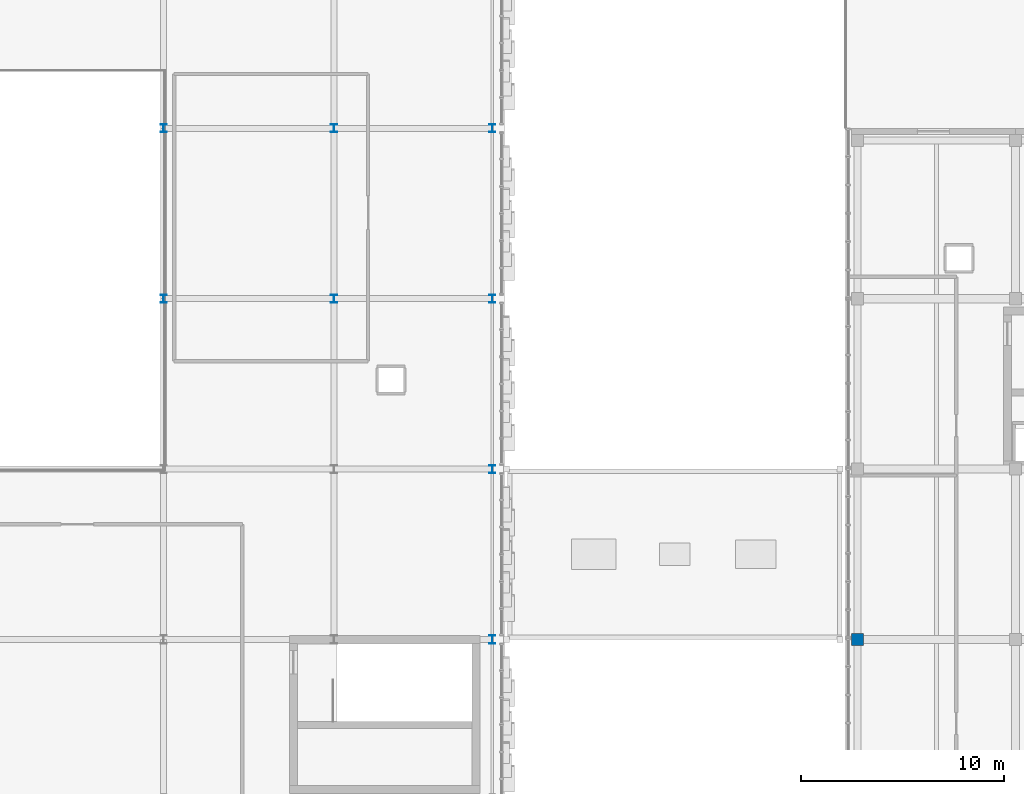
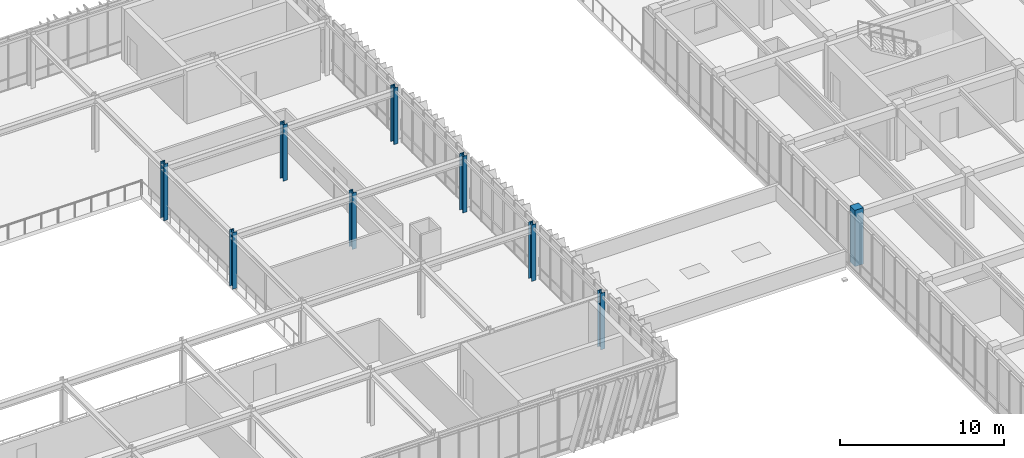
# One storey, part 11 of 123: 9 columns.
"""IFC4 building model written with IfcOpenShell, lengths in metres."""

from ifc_helpers import new_model, si_unit, direction, frame, origin, origin_2d, place, context, subcontext, project, spatial, rectangle, i_section, extrude, material, material_profile, profile_set, type_object, element, save


model = new_model("IFC4")

# Units and contexts
model_context = context("Model", 3, precision=1e-05, world=origin(), true_north=direction((0.0, 1.0)))
body_context = subcontext(model_context, "Body", "Model", "MODEL_VIEW")
ifc_project = project(units=[si_unit("LENGTHUNIT", "METRE"), si_unit("AREAUNIT", "SQUARE_METRE"), si_unit("VOLUMEUNIT", "CUBIC_METRE"), si_unit("PLANEANGLEUNIT", "RADIAN"), si_unit("MASSUNIT", "GRAM", prefix="KILO")], contexts=[model_context])

# Site, building, storey
site_placement = place(None, origin())
site = spatial("IfcSite", under=ifc_project, at=site_placement, CompositionType="ELEMENT")
building_placement = place(site_placement, origin())
building = spatial("IfcBuilding", under=site, at=building_placement, Name="Zayran Congress Hotel", CompositionType="ELEMENT")
storey_placement = place(building_placement, frame((0.0, 0.0, 15.0)))
storey = spatial("IfcBuildingStorey", under=building, at=storey_placement, Name="L03", CompositionType="ELEMENT", Elevation=15.0)

# Columns
ifc_material_1 = material(Name="Concrete C40/50", Category="concrete")
ifc_material_profile_1 = material_profile(ifc_material_1, rectangle(XDim=0.60009765625, YDim=0.60009765625, at=origin_2d()), Name="RC 600x600")
ifc_profile_set_1 = profile_set([ifc_material_profile_1], Name="Concrete C40/50")
column_type_1 = type_object("IfcColumnType", Name="TP-CL-04", PredefinedType="COLUMN", material=ifc_profile_set_1)
column_placement = place(storey_placement, frame((109.800048828125, 76.0, 0.0), z_axis=(0.0, 0.0, 1.0), x_axis=(1.0, 0.0, 0.0)))
element("IfcColumn", 1, at=column_placement, inside=storey, type_object=column_type_1, Name="COL-V4-L03-0833", PredefinedType="COLUMN", context=body_context, shape_type="SweptSolid", body=[
    extrude(rectangle(XDim=0.60009765625, YDim=0.60009765625, at=origin_2d()), origin(), (0.0, 0.0, 1.0), 4.199951171875),
])
ifc_material_2 = material(Name="Steel S355", Category="steel")
ifc_material_profile_2 = material_profile(ifc_material_2, i_section(OverallWidth=0.300048828125, OverallDepth=0.39990234375, WebThickness=0.013427734375, FlangeThickness=0.02392578125, at=origin_2d()), Name="HEB 400")
ifc_profile_set_2 = profile_set([ifc_material_profile_2], Name="Steel S355")
column_type_2 = type_object("IfcColumnType", Name="TP-CL-07", PredefinedType="COLUMN", material=ifc_profile_set_2)
for number, where, z_axis, x_axis, name in (
    (2, (75.60009765625, 92.800048828125, 0.0), (0.0, 0.0, 1.0), (1.0, 0.0, 0.0), "COL-V1-L03-0503"),
    (3, (75.60009765625, 101.199951171875, 0.0), (0.0, 0.0, 1.0), (1.0, 0.0, 0.0), "COL-V1-L03-0504"),
    (4, (84.0, 92.800048828125, 0.0), (0.0, 0.0, 1.0), (1.0, 0.0, 0.0), "COL-V1-L03-0510"),
    (5, (84.0, 101.199951171875, 0.0), (0.0, 0.0, 1.0), (1.0, 0.0, 0.0), "COL-V1-L03-0511"),
    (6, (91.800048828125, 76.0, 0.0), (0.0, 0.0, 1.0), (1.0, 0.0, 0.0), "COL-V1-L03-0515"),
    (7, (91.800048828125, 84.39990234375, 0.0), (0.0, 0.0, 1.0), (1.0, 0.0, 0.0), "COL-V1-L03-0516"),
    (8, (91.800048828125, 92.800048828125, 0.0), (0.0, 0.0, 1.0), (1.0, 0.0, 0.0), "COL-V1-L03-0517"),
    (9, (91.800048828125, 101.199951171875, 0.0), (0.0, 0.0, 1.0), (1.0, 0.0, 0.0), "COL-V1-L03-0518"),
):
    element("IfcColumn", number, at=place(storey_placement, frame(where, z_axis=z_axis, x_axis=x_axis)), inside=storey, type_object=column_type_2, Name=name, PredefinedType="COLUMN", context=body_context, shape_type="SweptSolid", body=[
        extrude(i_section(OverallWidth=0.300048828125, OverallDepth=0.39990234375, WebThickness=0.013427734375, FlangeThickness=0.02392578125, at=origin_2d()), origin(), (0.0, 0.0, 1.0), 4.199951171875),
    ])

save(model, "model.ifc")
